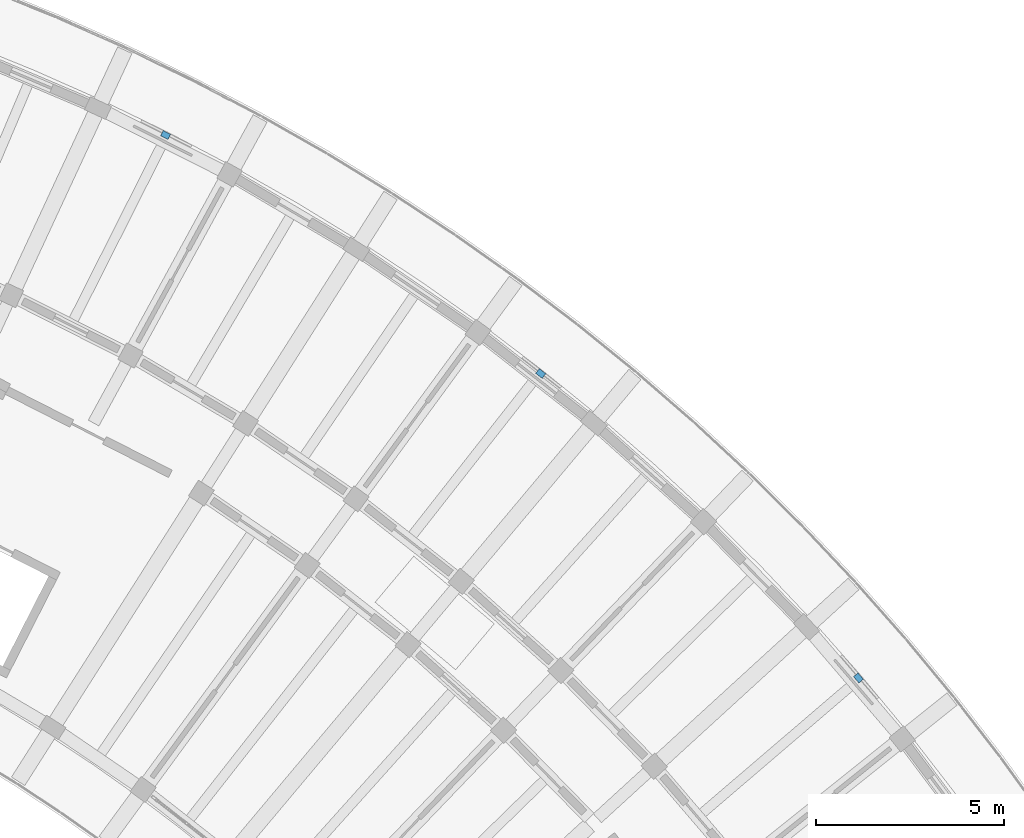
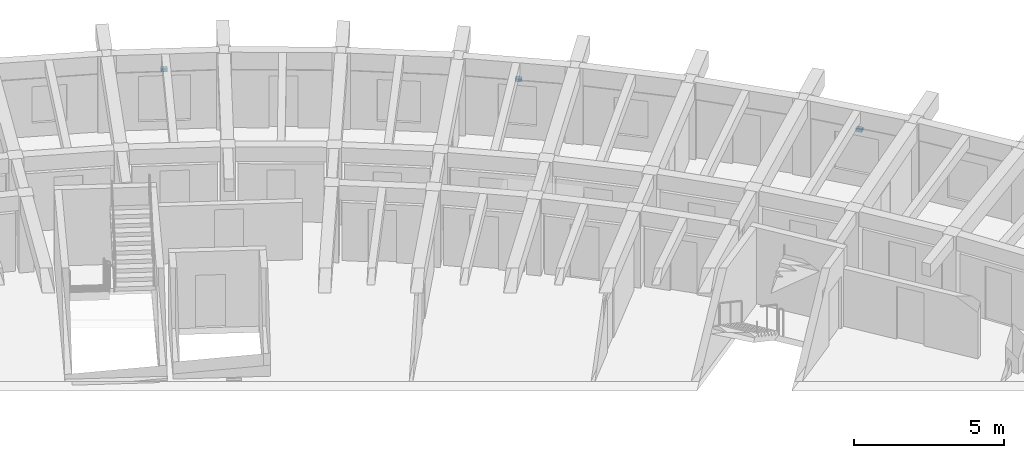
# One storey, part 63 of 83: 3 discrete accessories.
"""IFC4 building model written with IfcOpenShell, lengths in metres."""

from ifc_helpers import new_model, si_unit, direction, frame, origin, origin_2d, place, context, subcontext, project, spatial, rectangle, extrude, material, type_object, element, save


model = new_model("IFC4")

# Units and contexts
model_context = context("Model", 3, precision=1e-05, world=origin(), true_north=direction((0.0, 1.0)))
body_context = subcontext(model_context, "Body", "Model", "MODEL_VIEW")
ifc_project = project(units=[si_unit("LENGTHUNIT", "METRE"), si_unit("AREAUNIT", "SQUARE_METRE"), si_unit("VOLUMEUNIT", "CUBIC_METRE"), si_unit("PLANEANGLEUNIT", "RADIAN"), si_unit("MASSUNIT", "GRAM", prefix="KILO")], contexts=[model_context])

# Site, building, storey
site_placement = place(None, origin())
site = spatial("IfcSite", under=ifc_project, at=site_placement, CompositionType="ELEMENT")
building_placement = place(site_placement, origin())
building = spatial("IfcBuilding", under=site, at=building_placement, Name="Tanwirah Colonnade Gardens", CompositionType="ELEMENT")
storey_placement = place(building_placement, frame((0.0, 0.0, 25.639892578125)))
storey = spatial("IfcBuildingStorey", under=building, at=storey_placement, Name="L07", CompositionType="ELEMENT", Elevation=25.639892578125)

# Discrete accessories
ifc_material = material(Name="Steel S355", Category="steel")
discrete_accessory_type = type_object("IfcDiscreteAccessoryType", Name="BRK-SS1", PredefinedType="BRACKET", material=ifc_material)
for number, where, z_axis, x_axis, name in (
    (1, (166.329833984375, 99.03076171875, 2.06005859375), (0.0, 0.0, 1.0), (-0.650185892244, 0.759775167748, 0.0), "Solar screen support bracket B-L07-06"),
    (2, (157.862060546875, 107.14453125, 2.150146484375), (0.0, 0.0, 1.0), (-0.786815927994, 0.617187731129, 0.0), "Solar screen support bracket B-L07-09"),
    (3, (147.8642578125, 113.500244140625, 2.199951171875), (0.0, 0.0, 1.0), (-0.892760421475, 0.450531719025, 0.0), "Solar screen support bracket B-L07-12"),
):
    element("IfcDiscreteAccessory", number, at=place(storey_placement, frame(where, z_axis=z_axis, x_axis=x_axis)), inside=storey, type_object=discrete_accessory_type, Name=name, PredefinedType="BRACKET", context=body_context, shape_type="SweptSolid", body=[
        extrude(rectangle(XDim=0.219970703125, YDim=0.159912109375, at=origin_2d()), origin(), (0.0, 0.0, 1.0), 0.1201171875),
    ])

save(model, "model.ifc")
